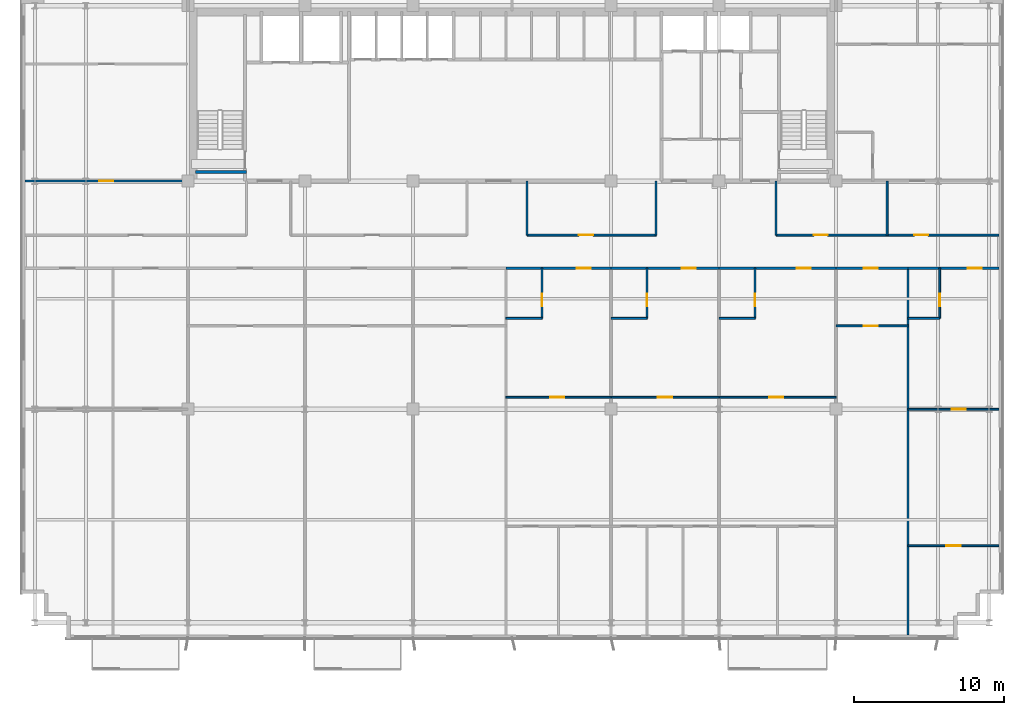
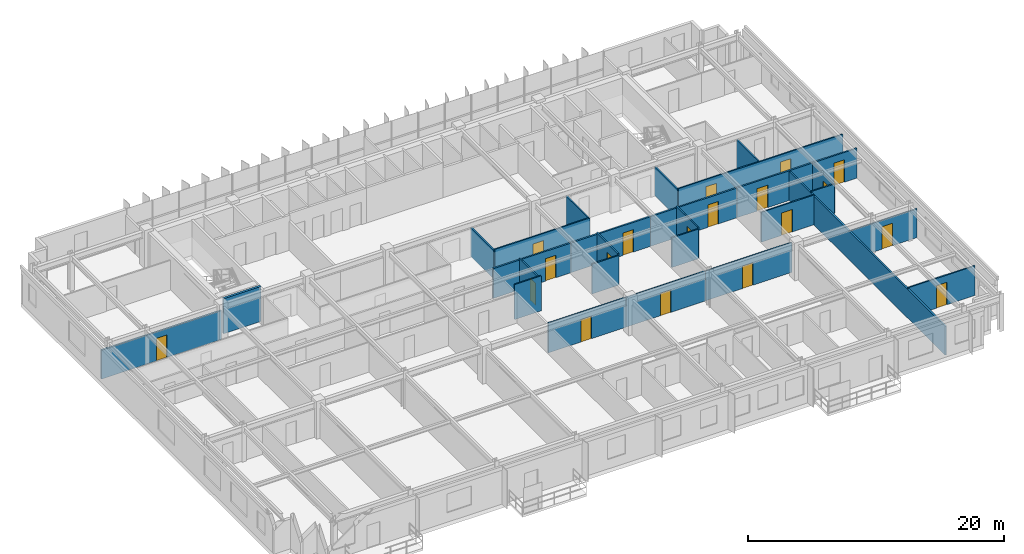
# One storey, part 16 of 22: 28 walls, 19 doors, 19 openings.
"""IFC4 building model written with IfcOpenShell, lengths in metres."""

from ifc_helpers import new_model, si_unit, direction, frame, frame_2d, origin, place, context, subcontext, project, spatial, rectangle, extrude, source, transform, mapped, material, layer, layer_set, type_object, element, fill, save


model = new_model("IFC4")

# Units and contexts
model_context = context("Model", 3, precision=1e-05, world=origin(), true_north=direction((0.0, 1.0)))
body_context = subcontext(model_context, "Body", "Model", "MODEL_VIEW")
ifc_project = project(units=[si_unit("LENGTHUNIT", "METRE"), si_unit("AREAUNIT", "SQUARE_METRE"), si_unit("VOLUMEUNIT", "CUBIC_METRE"), si_unit("PLANEANGLEUNIT", "RADIAN"), si_unit("MASSUNIT", "GRAM", prefix="KILO")], contexts=[model_context])

# Site, building, storey
site_placement = place(None, origin())
site = spatial("IfcSite", under=ifc_project, at=site_placement, CompositionType="ELEMENT")
building_placement = place(site_placement, origin())
building = spatial("IfcBuilding", under=site, at=building_placement, Name="Trelvane Seafront Commons", CompositionType="ELEMENT")
storey_placement = place(building_placement, frame((0.0, 0.0, 81.699951171875)))
storey = spatial("IfcBuildingStorey", under=building, at=storey_placement, Name="L20", CompositionType="ELEMENT", Elevation=81.699951171875)

# Wall, opening, door
ifc_material_1 = material(Name="Gypsum Drywall Acoustic Partition")
ifc_layer_1 = layer(ifc_material_1, 0.1201171875, Name="ARCH-WALL-PART120")
ifc_layer_set_1 = layer_set([ifc_layer_1], Name="Gypsum Drywall Acoustic Partition")
wall_type_1 = type_object("IfcWallType", Name="ARCH-WALL-PART120", PredefinedType="PARTITIONING", material=ifc_layer_set_1)
wall_1_placement = place(storey_placement, frame((38.199951171875, 29.800048828125, 0.0), z_axis=(0.0, 0.0, 1.0), x_axis=(1.0, 0.0, 0.0)))
wall_1 = element("IfcWall", 1, at=wall_1_placement, inside=storey, type_object=wall_type_1, Name="W-L20-CORR-N-M2-040", PredefinedType="PARTITIONING", context=body_context, shape_type="SweptSolid", body=[
    extrude(rectangle(XDim=8.60009765625, YDim=0.1201171875, at=frame_2d((4.300048828125, 0.0))), origin(), (0.0, 0.0, 1.0), 2.840087890625),
])
opening_1_placement = place(wall_1_placement, frame((3.4619140625, 0.0, 0.0)))
opening_1 = element("IfcOpeningElement", 2, at=opening_1_placement, cuts=wall_1, Name="Opening D-L20-20", PredefinedType="OPENING", context=body_context, shape_type="SweptSolid", body=[
    extrude(rectangle(XDim=0.949951171875, YDim=2.14990234375, at=frame_2d((0.47509765625, 1.074951171875))), frame((0.0, 0.070068359375, 0.0), z_axis=(0.0, -1.0, 0.0), x_axis=(1.0, 0.0, 0.0)), (0.0, 0.0, 1.0), 0.14013671875),
])
ifc_material_2 = material(Name="Acoustic timber door leaf", Category="wood")
door_type_1 = type_object("IfcDoorType", Name="ARCH-DR-INT950", OperationType="NOTDEFINED", PredefinedType="DOOR", material=ifc_material_2)
shared_shape_1 = source(origin(), body_context, "Body", "SweptSolid", [
    extrude(rectangle(XDim=0.949951171875, YDim=2.14990234375, at=frame_2d((0.47509765625, 1.074951171875))), frame((0.0, 0.02490234375, 0.0), z_axis=(0.0, -1.0, 0.0), x_axis=(1.0, 0.0, 0.0)), (0.0, 0.0, 1.0), 0.050048828125),
])
door_1_placement = place(opening_1_placement, origin())
door_1 = element("IfcDoor", 3, at=door_1_placement, inside=storey, type_object=door_type_1, Name="L20 Door 20", OperationType="SINGLE_SWING_RIGHT", OverallHeight=2.14990234375, OverallWidth=0.949951171875, PredefinedType="DOOR", context=body_context, shape_type="MappedRepresentation", body=[
    mapped(shared_shape_1, transform((0.0, 0.0, 0.0), x_axis=(1.0, 0.0, 0.0), y_axis=(0.0, 1.0, 0.0), z_axis=(0.0, 0.0, 1.0), scale=1.0)),
])
fill(opening_1, door_1)

# Wall, openings, doors
wall_2_placement = place(storey_placement, frame((54.800048828125, 29.800048828125, 0.0), z_axis=(0.0, 0.0, 1.0), x_axis=(1.0, 0.0, 0.0)))
wall_2 = element("IfcWall", 4, at=wall_2_placement, inside=storey, type_object=wall_type_1, Name="W-L20-CORR-N-E-041", PredefinedType="PARTITIONING", context=body_context, shape_type="SweptSolid", body=[
    extrude(rectangle(XDim=14.849853515625, YDim=0.1201171875, at=frame_2d((7.4248046875, 0.0))), origin(), (0.0, 0.0, 1.0), 2.840087890625),
])
opening_2_placement = place(wall_2_placement, frame((2.5, 0.0, 0.0)))
opening_2 = element("IfcOpeningElement", 5, at=opening_2_placement, cuts=wall_2, Name="Opening D-L20-21", PredefinedType="OPENING", context=body_context, shape_type="SweptSolid", body=[
    extrude(rectangle(XDim=0.949951171875, YDim=2.14990234375, at=frame_2d((0.47509765625, 1.074951171875))), frame((0.0, 0.070068359375, 0.0), z_axis=(0.0, -1.0, 0.0), x_axis=(1.0, 0.0, 0.0)), (0.0, 0.0, 1.0), 0.14013671875),
])
opening_3_placement = place(wall_2_placement, frame((9.199951171875, 0.0, 0.0)))
opening_3 = element("IfcOpeningElement", 6, at=opening_3_placement, cuts=wall_2, Name="Opening D-L20-22", PredefinedType="OPENING", context=body_context, shape_type="SweptSolid", body=[
    extrude(rectangle(XDim=0.949951171875, YDim=2.14990234375, at=frame_2d((0.47509765625, 1.074951171875))), frame((0.0, 0.070068359375, 0.0), z_axis=(0.0, -1.0, 0.0), x_axis=(1.0, 0.0, 0.0)), (0.0, 0.0, 1.0), 0.14013671875),
])
door_2_placement = place(opening_2_placement, origin())
door_2 = element("IfcDoor", 7, at=door_2_placement, inside=storey, type_object=door_type_1, Name="L20 Door 21", OperationType="SINGLE_SWING_LEFT", OverallHeight=2.14990234375, OverallWidth=0.949951171875, PredefinedType="DOOR", context=body_context, shape_type="MappedRepresentation", body=[
    mapped(shared_shape_1, transform((0.0, 0.0, 0.0), x_axis=(1.0, 0.0, 0.0), y_axis=(0.0, 1.0, 0.0), z_axis=(0.0, 0.0, 1.0), scale=1.0)),
])
fill(opening_2, door_2)
door_3_placement = place(opening_3_placement, origin())
door_3 = element("IfcDoor", 8, at=door_3_placement, inside=storey, type_object=door_type_1, Name="L20 Door 22", OperationType="SINGLE_SWING_RIGHT", OverallHeight=2.14990234375, OverallWidth=0.949951171875, PredefinedType="DOOR", context=body_context, shape_type="MappedRepresentation", body=[
    mapped(shared_shape_1, transform((0.0, 0.0, 0.0), x_axis=(1.0, 0.0, 0.0), y_axis=(0.0, 1.0, 0.0), z_axis=(0.0, 0.0, 1.0), scale=1.0)),
])
fill(opening_3, door_3)

# Walls
for number, where, z_axis, x_axis, name in (
    (9, (62.199951171875, 29.800048828125, 0.0), (0.0, 0.0, 1.0), (0.0, 1.0, 0.0), "W-L20-N-LAUN-DV-042"),
    (10, (38.199951171875, 29.800048828125, 0.0), (0.0, 0.0, 1.0), (0.0, 1.0, 0.0), "W-L20-N-SPUR-M2-046"),
    (11, (46.800048828125, 29.800048828125, 0.0), (0.0, 0.0, 1.0), (0.0, 1.0, 0.0), "W-L20-N-SPUR-E1-047"),
    (12, (54.800048828125, 29.800048828125, 0.0), (0.0, 0.0, 1.0), (0.0, 1.0, 0.0), "W-L20-N-SPUR-E2-048"),
):
    element("IfcWall", number, at=place(storey_placement, frame(where, z_axis=z_axis, x_axis=x_axis)), inside=storey, type_object=wall_type_1, Name=name, PredefinedType="PARTITIONING", context=body_context, shape_type="SweptSolid", body=[
        extrude(rectangle(XDim=3.599853515625, YDim=0.1201171875, at=frame_2d((1.7998046875, 0.0))), origin(), (0.0, 0.0, 1.0), 2.751953125),
    ])

# Wall, opening, door
wall_3_placement = place(storey_placement, frame((36.800048828125, 19.0, 0.0), z_axis=(0.0, 0.0, 1.0), x_axis=(1.0, 0.0, 0.0)))
wall_3 = element("IfcWall", 13, at=wall_3_placement, inside=storey, type_object=wall_type_1, Name="W-L20-U6-KL-079", PredefinedType="PARTITIONING", context=body_context, shape_type="SweptSolid", body=[
    extrude(rectangle(XDim=7.0, YDim=0.1201171875, at=frame_2d((3.5, 0.0))), origin(), (0.0, 0.0, 1.0), 2.840087890625),
])
opening_4_placement = place(wall_3_placement, frame((2.93408203125, 0.0, 0.0)))
opening_4 = element("IfcOpeningElement", 14, at=opening_4_placement, cuts=wall_3, Name="Opening D-L20-42", PredefinedType="OPENING", context=body_context, shape_type="SweptSolid", body=[
    extrude(rectangle(XDim=0.949951171875, YDim=2.14990234375, at=frame_2d((0.47509765625, 1.074951171875))), frame((0.0, 0.070068359375, 0.0), z_axis=(0.0, -1.0, 0.0), x_axis=(1.0, 0.0, 0.0)), (0.0, 0.0, 1.0), 0.14013671875),
])
door_4_placement = place(opening_4_placement, origin())
door_4 = element("IfcDoor", 15, at=door_4_placement, inside=storey, type_object=door_type_1, Name="L20 Door 42", OperationType="SINGLE_SWING_RIGHT", OverallHeight=2.14990234375, OverallWidth=0.949951171875, PredefinedType="DOOR", context=body_context, shape_type="MappedRepresentation", body=[
    mapped(shared_shape_1, transform((0.0, 0.0, 0.0), x_axis=(1.0, 0.0, 0.0), y_axis=(0.0, 1.0, 0.0), z_axis=(0.0, 0.0, 1.0), scale=1.0)),
])
fill(opening_4, door_4)

wall_4_placement = place(storey_placement, frame((39.199951171875, 24.25, 0.0), z_axis=(0.0, 0.0, 1.0), x_axis=(0.0, 1.0, 0.0)))
wall_4 = element("IfcWall", 16, at=wall_4_placement, inside=storey, type_object=wall_type_1, Name="W-L20-U6-BE-080", PredefinedType="PARTITIONING", context=body_context, shape_type="SweptSolid", body=[
    extrude(rectangle(XDim=3.35009765625, YDim=0.1201171875, at=frame_2d((1.675048828125, 0.0))), origin(), (0.0, 0.0, 1.0), 2.989990234375),
])
opening_5_placement = place(wall_4_placement, frame((0.800048828125, 0.0, 0.0)))
opening_5 = element("IfcOpeningElement", 17, at=opening_5_placement, cuts=wall_4, Name="Opening D-L20-43", PredefinedType="OPENING", context=body_context, shape_type="SweptSolid", body=[
    extrude(rectangle(XDim=0.85009765625, YDim=2.10009765625, at=frame_2d((0.425048828125, 1.050048828125))), frame((0.0, 0.070068359375, 0.0), z_axis=(0.0, -1.0, 0.0), x_axis=(1.0, 0.0, 0.0)), (0.0, 0.0, 1.0), 0.14013671875),
])
door_type_2 = type_object("IfcDoorType", Name="ARCH-DR-INT850", OperationType="NOTDEFINED", PredefinedType="DOOR", material=ifc_material_2)
shared_shape_2 = source(origin(), body_context, "Body", "SweptSolid", [
    extrude(rectangle(XDim=0.85009765625, YDim=2.10009765625, at=frame_2d((0.425048828125, 1.050048828125))), frame((0.0, 0.02490234375, 0.0), z_axis=(0.0, -1.0, 0.0), x_axis=(1.0, 0.0, 0.0)), (0.0, 0.0, 1.0), 0.050048828125),
])
door_5_placement = place(opening_5_placement, origin())
door_5 = element("IfcDoor", 18, at=door_5_placement, inside=storey, type_object=door_type_2, Name="L20 Door 43", OperationType="SINGLE_SWING_LEFT", OverallHeight=2.10009765625, OverallWidth=0.85009765625, PredefinedType="DOOR", context=body_context, shape_type="MappedRepresentation", body=[
    mapped(shared_shape_2, transform((0.0, 0.0, 0.0), x_axis=(1.0, 0.0, 0.0), y_axis=(0.0, 1.0, 0.0), z_axis=(0.0, 0.0, 1.0), scale=1.0)),
])
fill(opening_5, door_5)

# Wall
wall_5_placement = place(storey_placement, frame((36.800048828125, 24.25, 0.0), z_axis=(0.0, 0.0, 1.0), x_axis=(1.0, 0.0, 0.0)))
element("IfcWall", 19, at=wall_5_placement, inside=storey, type_object=wall_type_1, Name="W-L20-U6-BS-081", PredefinedType="PARTITIONING", context=body_context, shape_type="SweptSolid", body=[
    extrude(rectangle(XDim=2.39990234375, YDim=0.1201171875, at=frame_2d((1.199951171875, 0.0))), origin(), (0.0, 0.0, 1.0), 3.340087890625),
])

# Wall, opening, door
wall_6_placement = place(storey_placement, frame((43.800048828125, 19.0, 0.0), z_axis=(0.0, 0.0, 1.0), x_axis=(1.0, 0.0, 0.0)))
wall_6 = element("IfcWall", 20, at=wall_6_placement, inside=storey, type_object=wall_type_1, Name="W-L20-U7-KL-086", PredefinedType="PARTITIONING", context=body_context, shape_type="SweptSolid", body=[
    extrude(rectangle(XDim=7.199951171875, YDim=0.1201171875, at=frame_2d((3.60009765625, 0.0))), origin(), (0.0, 0.0, 1.0), 2.840087890625),
])
opening_6_placement = place(wall_6_placement, frame((3.125, 0.0, 0.0)))
opening_6 = element("IfcOpeningElement", 21, at=opening_6_placement, cuts=wall_6, Name="Opening D-L20-47", PredefinedType="OPENING", context=body_context, shape_type="SweptSolid", body=[
    extrude(rectangle(XDim=0.949951171875, YDim=2.14990234375, at=frame_2d((0.47509765625, 1.074951171875))), frame((0.0, 0.070068359375, 0.0), z_axis=(0.0, -1.0, 0.0), x_axis=(1.0, 0.0, 0.0)), (0.0, 0.0, 1.0), 0.14013671875),
])
door_6_placement = place(opening_6_placement, origin())
door_6 = element("IfcDoor", 22, at=door_6_placement, inside=storey, type_object=door_type_1, Name="L20 Door 47", OperationType="SINGLE_SWING_LEFT", OverallHeight=2.14990234375, OverallWidth=0.949951171875, PredefinedType="DOOR", context=body_context, shape_type="MappedRepresentation", body=[
    mapped(shared_shape_1, transform((0.0, 0.0, 0.0), x_axis=(1.0, 0.0, 0.0), y_axis=(0.0, 1.0, 0.0), z_axis=(0.0, 0.0, 1.0), scale=1.0)),
])
fill(opening_6, door_6)

wall_7_placement = place(storey_placement, frame((46.199951171875, 24.25, 0.0), z_axis=(0.0, 0.0, 1.0), x_axis=(0.0, 1.0, 0.0)))
wall_7 = element("IfcWall", 23, at=wall_7_placement, inside=storey, type_object=wall_type_1, Name="W-L20-U7-BE-087", PredefinedType="PARTITIONING", context=body_context, shape_type="SweptSolid", body=[
    extrude(rectangle(XDim=3.35009765625, YDim=0.1201171875, at=frame_2d((1.675048828125, 0.0))), origin(), (0.0, 0.0, 1.0), 2.989990234375),
])
opening_7_placement = place(wall_7_placement, frame((0.800048828125, 0.0, 0.0)))
opening_7 = element("IfcOpeningElement", 24, at=opening_7_placement, cuts=wall_7, Name="Opening D-L20-48", PredefinedType="OPENING", context=body_context, shape_type="SweptSolid", body=[
    extrude(rectangle(XDim=0.85009765625, YDim=2.10009765625, at=frame_2d((0.425048828125, 1.050048828125))), frame((0.0, 0.070068359375, 0.0), z_axis=(0.0, -1.0, 0.0), x_axis=(1.0, 0.0, 0.0)), (0.0, 0.0, 1.0), 0.14013671875),
])
door_7_placement = place(opening_7_placement, origin())
door_7 = element("IfcDoor", 25, at=door_7_placement, inside=storey, type_object=door_type_2, Name="L20 Door 48", OperationType="SINGLE_SWING_RIGHT", OverallHeight=2.10009765625, OverallWidth=0.85009765625, PredefinedType="DOOR", context=body_context, shape_type="MappedRepresentation", body=[
    mapped(shared_shape_2, transform((0.0, 0.0, 0.0), x_axis=(1.0, 0.0, 0.0), y_axis=(0.0, 1.0, 0.0), z_axis=(0.0, 0.0, 1.0), scale=1.0)),
])
fill(opening_7, door_7)

# Wall
wall_8_placement = place(storey_placement, frame((43.800048828125, 24.25, 0.0), z_axis=(0.0, 0.0, 1.0), x_axis=(1.0, 0.0, 0.0)))
element("IfcWall", 26, at=wall_8_placement, inside=storey, type_object=wall_type_1, Name="W-L20-U7-BS-088", PredefinedType="PARTITIONING", context=body_context, shape_type="SweptSolid", body=[
    extrude(rectangle(XDim=2.39990234375, YDim=0.1201171875, at=frame_2d((1.199951171875, 0.0))), origin(), (0.0, 0.0, 1.0), 2.840087890625),
])

# Wall, opening, door
wall_9_placement = place(storey_placement, frame((51.0, 19.0, 0.0), z_axis=(0.0, 0.0, 1.0), x_axis=(1.0, 0.0, 0.0)))
wall_9 = element("IfcWall", 27, at=wall_9_placement, inside=storey, type_object=wall_type_1, Name="W-L20-U8-KL-095", PredefinedType="PARTITIONING", context=body_context, shape_type="SweptSolid", body=[
    extrude(rectangle(XDim=7.800048828125, YDim=0.1201171875, at=frame_2d((3.89990234375, 0.0))), origin(), (0.0, 0.0, 1.0), 2.840087890625),
])
opening_8_placement = place(wall_9_placement, frame((3.3330078125, 0.0, 0.0)))
opening_8 = element("IfcOpeningElement", 28, at=opening_8_placement, cuts=wall_9, Name="Opening D-L20-53", PredefinedType="OPENING", context=body_context, shape_type="SweptSolid", body=[
    extrude(rectangle(XDim=0.949951171875, YDim=2.14990234375, at=frame_2d((0.47509765625, 1.074951171875))), frame((0.0, 0.070068359375, 0.0), z_axis=(0.0, -1.0, 0.0), x_axis=(1.0, 0.0, 0.0)), (0.0, 0.0, 1.0), 0.14013671875),
])
door_8_placement = place(opening_8_placement, origin())
door_8 = element("IfcDoor", 29, at=door_8_placement, inside=storey, type_object=door_type_1, Name="L20 Door 53", OperationType="SINGLE_SWING_LEFT", OverallHeight=2.14990234375, OverallWidth=0.949951171875, PredefinedType="DOOR", context=body_context, shape_type="MappedRepresentation", body=[
    mapped(shared_shape_1, transform((0.0, 0.0, 0.0), x_axis=(1.0, 0.0, 0.0), y_axis=(0.0, 1.0, 0.0), z_axis=(0.0, 0.0, 1.0), scale=1.0)),
])
fill(opening_8, door_8)

wall_10_placement = place(storey_placement, frame((53.39990234375, 24.25, 0.0), z_axis=(0.0, 0.0, 1.0), x_axis=(0.0, 1.0, 0.0)))
wall_10 = element("IfcWall", 30, at=wall_10_placement, inside=storey, type_object=wall_type_1, Name="W-L20-U8-BE-096", PredefinedType="PARTITIONING", context=body_context, shape_type="SweptSolid", body=[
    extrude(rectangle(XDim=3.35009765625, YDim=0.1201171875, at=frame_2d((1.675048828125, 0.0))), origin(), (0.0, 0.0, 1.0), 2.989990234375),
])
opening_9_placement = place(wall_10_placement, frame((0.800048828125, 0.0, 0.0)))
opening_9 = element("IfcOpeningElement", 31, at=opening_9_placement, cuts=wall_10, Name="Opening D-L20-54", PredefinedType="OPENING", context=body_context, shape_type="SweptSolid", body=[
    extrude(rectangle(XDim=0.85009765625, YDim=2.10009765625, at=frame_2d((0.425048828125, 1.050048828125))), frame((0.0, 0.070068359375, 0.0), z_axis=(0.0, -1.0, 0.0), x_axis=(1.0, 0.0, 0.0)), (0.0, 0.0, 1.0), 0.14013671875),
])
door_9_placement = place(opening_9_placement, origin())
door_9 = element("IfcDoor", 32, at=door_9_placement, inside=storey, type_object=door_type_2, Name="L20 Door 54", OperationType="SINGLE_SWING_RIGHT", OverallHeight=2.10009765625, OverallWidth=0.85009765625, PredefinedType="DOOR", context=body_context, shape_type="MappedRepresentation", body=[
    mapped(shared_shape_2, transform((0.0, 0.0, 0.0), x_axis=(1.0, 0.0, 0.0), y_axis=(0.0, 1.0, 0.0), z_axis=(0.0, 0.0, 1.0), scale=1.0)),
])
fill(opening_9, door_9)

# Wall
wall_11_placement = place(storey_placement, frame((51.0, 24.25, 0.0), z_axis=(0.0, 0.0, 1.0), x_axis=(1.0, 0.0, 0.0)))
element("IfcWall", 33, at=wall_11_placement, inside=storey, type_object=wall_type_1, Name="W-L20-U8-BS-097", PredefinedType="PARTITIONING", context=body_context, shape_type="SweptSolid", body=[
    extrude(rectangle(XDim=2.39990234375, YDim=0.1201171875, at=frame_2d((1.199951171875, 0.0))), origin(), (0.0, 0.0, 1.0), 2.840087890625),
])

# Wall, opening, door
wall_12_placement = place(storey_placement, frame((58.800048828125, 23.75, 0.0), z_axis=(0.0, 0.0, 1.0), x_axis=(1.0, 0.0, 0.0)))
wall_12 = element("IfcWall", 34, at=wall_12_placement, inside=storey, type_object=wall_type_1, Name="W-L20-U9-DIV-103", PredefinedType="PARTITIONING", context=body_context, shape_type="SweptSolid", body=[
    extrude(rectangle(XDim=4.800048828125, YDim=0.1201171875, at=frame_2d((2.39990234375, 0.0))), origin(), (0.0, 0.0, 1.0), 2.840087890625),
])
opening_10_placement = place(wall_12_placement, frame((1.833984375, 0.0, 0.0)))
opening_10 = element("IfcOpeningElement", 35, at=opening_10_placement, cuts=wall_12, Name="Opening D-L20-59", PredefinedType="OPENING", context=body_context, shape_type="SweptSolid", body=[
    extrude(rectangle(XDim=0.949951171875, YDim=2.14990234375, at=frame_2d((0.47509765625, 1.074951171875))), frame((0.0, 0.070068359375, 0.0), z_axis=(0.0, -1.0, 0.0), x_axis=(1.0, 0.0, 0.0)), (0.0, 0.0, 1.0), 0.14013671875),
])
door_10_placement = place(opening_10_placement, origin())
door_10 = element("IfcDoor", 36, at=door_10_placement, inside=storey, type_object=door_type_1, Name="L20 Door 59", OperationType="SINGLE_SWING_LEFT", OverallHeight=2.14990234375, OverallWidth=0.949951171875, PredefinedType="DOOR", context=body_context, shape_type="MappedRepresentation", body=[
    mapped(shared_shape_1, transform((0.0, 0.0, 0.0), x_axis=(1.0, 0.0, 0.0), y_axis=(0.0, 1.0, 0.0), z_axis=(0.0, 0.0, 1.0), scale=1.0)),
])
fill(opening_10, door_10)

wall_13_placement = place(storey_placement, frame((63.60009765625, 18.199951171875, 0.0), z_axis=(0.0, 0.0, 1.0), x_axis=(1.0, 0.0, 0.0)))
wall_13 = element("IfcWall", 37, at=wall_13_placement, inside=storey, type_object=wall_type_1, Name="W-L20-U10-KL-104", PredefinedType="PARTITIONING", context=body_context, shape_type="SweptSolid", body=[
    extrude(rectangle(XDim=6.039794921875, YDim=0.1201171875, at=frame_2d((3.02001953125, 0.0))), origin(), (0.0, 0.0, 1.0), 2.751953125),
])
opening_11_placement = place(wall_13_placement, frame((2.906005859375, 0.0, 0.0)))
opening_11 = element("IfcOpeningElement", 38, at=opening_11_placement, cuts=wall_13, Name="Opening D-L20-60", PredefinedType="OPENING", context=body_context, shape_type="SweptSolid", body=[
    extrude(rectangle(XDim=0.949951171875, YDim=2.14990234375, at=frame_2d((0.47509765625, 1.074951171875))), frame((0.0, 0.070068359375, 0.0), z_axis=(0.0, -1.0, 0.0), x_axis=(1.0, 0.0, 0.0)), (0.0, 0.0, 1.0), 0.14013671875),
])
door_11_placement = place(opening_11_placement, origin())
door_11 = element("IfcDoor", 39, at=door_11_placement, inside=storey, type_object=door_type_1, Name="L20 Door 60", OperationType="SINGLE_SWING_RIGHT", OverallHeight=2.14990234375, OverallWidth=0.949951171875, PredefinedType="DOOR", context=body_context, shape_type="MappedRepresentation", body=[
    mapped(shared_shape_1, transform((0.0, 0.0, 0.0), x_axis=(1.0, 0.0, 0.0), y_axis=(0.0, 1.0, 0.0), z_axis=(0.0, 0.0, 1.0), scale=1.0)),
])
fill(opening_11, door_11)

wall_14_placement = place(storey_placement, frame((65.70361328125, 24.25, 0.0), z_axis=(0.0, 0.0, 1.0), x_axis=(0.0, 1.0, 0.0)))
wall_14 = element("IfcWall", 40, at=wall_14_placement, inside=storey, type_object=wall_type_1, Name="W-L20-U10-BE-105", PredefinedType="PARTITIONING", context=body_context, shape_type="SweptSolid", body=[
    extrude(rectangle(XDim=3.35009765625, YDim=0.1201171875, at=frame_2d((1.675048828125, 0.0))), origin(), (0.0, 0.0, 1.0), 2.840087890625),
])
opening_12_placement = place(wall_14_placement, frame((0.800048828125, 0.0, 0.0)))
opening_12 = element("IfcOpeningElement", 41, at=opening_12_placement, cuts=wall_14, Name="Opening D-L20-61", PredefinedType="OPENING", context=body_context, shape_type="SweptSolid", body=[
    extrude(rectangle(XDim=0.85009765625, YDim=2.10009765625, at=frame_2d((0.425048828125, 1.050048828125))), frame((0.0, 0.070068359375, 0.0), z_axis=(0.0, -1.0, 0.0), x_axis=(1.0, 0.0, 0.0)), (0.0, 0.0, 1.0), 0.14013671875),
])
door_12_placement = place(opening_12_placement, origin())
door_12 = element("IfcDoor", 42, at=door_12_placement, inside=storey, type_object=door_type_2, Name="L20 Door 61", OperationType="SINGLE_SWING_LEFT", OverallHeight=2.10009765625, OverallWidth=0.85009765625, PredefinedType="DOOR", context=body_context, shape_type="MappedRepresentation", body=[
    mapped(shared_shape_2, transform((0.0, 0.0, 0.0), x_axis=(1.0, 0.0, 0.0), y_axis=(0.0, 1.0, 0.0), z_axis=(0.0, 0.0, 1.0), scale=1.0)),
])
fill(opening_12, door_12)

# Wall
wall_15_placement = place(storey_placement, frame((63.60009765625, 24.25, 0.0), z_axis=(0.0, 0.0, 1.0), x_axis=(1.0, 0.0, 0.0)))
element("IfcWall", 43, at=wall_15_placement, inside=storey, type_object=wall_type_1, Name="W-L20-U10-BS-106", PredefinedType="PARTITIONING", context=body_context, shape_type="SweptSolid", body=[
    extrude(rectangle(XDim=2.103515625, YDim=0.1201171875, at=frame_2d((1.0517578125, 0.0))), origin(), (0.0, 0.0, 1.0), 2.840087890625),
])

# Wall, opening, door
wall_16_placement = place(storey_placement, frame((63.60009765625, 9.10009765625, 0.0), z_axis=(0.0, 0.0, 1.0), x_axis=(1.0, 0.0, 0.0)))
wall_16 = element("IfcWall", 44, at=wall_16_placement, inside=storey, type_object=wall_type_1, Name="W-L20-U10-YM-1-108", PredefinedType="PARTITIONING", context=body_context, shape_type="SweptSolid", body=[
    extrude(rectangle(XDim=6.039794921875, YDim=0.1201171875, at=frame_2d((3.02001953125, 0.0))), origin(), (0.0, 0.0, 1.0), 2.840087890625),
])
opening_13_placement = place(wall_16_placement, frame((2.544921875, 0.0, 0.0)))
opening_13 = element("IfcOpeningElement", 45, at=opening_13_placement, cuts=wall_16, Name="Opening D-L20-63", PredefinedType="OPENING", context=body_context, shape_type="SweptSolid", body=[
    extrude(rectangle(XDim=0.949951171875, YDim=2.14990234375, at=frame_2d((0.47509765625, 1.074951171875))), frame((0.0, 0.070068359375, 0.0), z_axis=(0.0, -1.0, 0.0), x_axis=(1.0, 0.0, 0.0)), (0.0, 0.0, 1.0), 0.14013671875),
])
door_13_placement = place(opening_13_placement, origin())
door_13 = element("IfcDoor", 46, at=door_13_placement, inside=storey, type_object=door_type_1, Name="L20 Door 63", OperationType="SINGLE_SWING_LEFT", OverallHeight=2.14990234375, OverallWidth=0.949951171875, PredefinedType="DOOR", context=body_context, shape_type="MappedRepresentation", body=[
    mapped(shared_shape_1, transform((0.0, 0.0, 0.0), x_axis=(1.0, 0.0, 0.0), y_axis=(0.0, 1.0, 0.0), z_axis=(0.0, 0.0, 1.0), scale=1.0)),
])
fill(opening_13, door_13)

ifc_layer_2 = layer(ifc_material_1, 0.14990234375, Name="ARCH-WALL-PART150")
ifc_layer_set_2 = layer_set([ifc_layer_2], Name="Gypsum Drywall Acoustic Partition")
wall_type_2 = type_object("IfcWallType", Name="ARCH-WALL-PART150", PredefinedType="PARTITIONING", material=ifc_layer_set_2)
wall_17_placement = place(storey_placement, frame((4.75, 33.39990234375, 0.0), z_axis=(0.0, 0.0, 1.0), x_axis=(1.0, 0.0, 0.0)))
wall_17 = element("IfcWall", 47, at=wall_17_placement, inside=storey, type_object=wall_type_2, Name="W-L20-NW-ENT-050", PredefinedType="PARTITIONING", context=body_context, shape_type="SweptSolid", body=[
    extrude(rectangle(XDim=10.85009765625, YDim=0.14990234375, at=frame_2d((5.425048828125, 0.0))), origin(), (0.0, 0.0, 1.0), 2.751953125),
])
opening_14_placement = place(wall_17_placement, frame((4.93994140625, 0.0, 0.0)))
opening_14 = element("IfcOpeningElement", 48, at=opening_14_placement, cuts=wall_17, Name="Opening FD-L20-24", PredefinedType="OPENING", context=body_context, shape_type="SweptSolid", body=[
    extrude(rectangle(XDim=0.949951171875, YDim=2.14990234375, at=frame_2d((0.47509765625, 1.074951171875))), frame((0.0, 0.0849609375, 0.0), z_axis=(0.0, -1.0, 0.0), x_axis=(1.0, 0.0, 0.0)), (0.0, 0.0, 1.0), 0.169921875),
])
ifc_material_3 = material(Name="Powder-coated aluminium frame", Category="aluminium")
door_type_3 = type_object("IfcDoorType", Name="ARCH-DR-FD60-950", OperationType="NOTDEFINED", PredefinedType="DOOR", material=ifc_material_3)
door_14_placement = place(opening_14_placement, origin())
door_14 = element("IfcDoor", 49, at=door_14_placement, inside=storey, type_object=door_type_3, Name="L20 NW Suite Entrance Door", OperationType="SINGLE_SWING_RIGHT", OverallHeight=2.14990234375, OverallWidth=0.949951171875, PredefinedType="DOOR", context=body_context, shape_type="MappedRepresentation", body=[
    mapped(shared_shape_1, transform((0.0, 0.0, 0.0), x_axis=(1.0, 0.0, 0.0), y_axis=(0.0, 1.0, 0.0), z_axis=(0.0, 0.0, 1.0), scale=1.0)),
])
fill(opening_14, door_14)

# Wall
wall_18_placement = place(storey_placement, frame((63.60009765625, 3.14501953125, 0.0), z_axis=(0.0, 0.0, 1.0), x_axis=(0.0, 1.0, 0.0)))
element("IfcWall", 50, at=wall_18_placement, inside=storey, type_object=wall_type_2, Name="W-L20-PW-9-068", PredefinedType="PARTITIONING", context=body_context, shape_type="SweptSolid", body=[
    extrude(rectangle(XDim=24.455078125, YDim=0.14990234375, at=frame_2d((12.2275390625, 0.0))), origin(), (0.0, 0.0, 1.0), 2.751953125),
])

# Wall, opening, door
wall_19_placement = place(storey_placement, frame((36.800048828125, 27.60009765625, 0.0), z_axis=(0.0, 0.0, 1.0), x_axis=(1.0, 0.0, 0.0)))
wall_19 = element("IfcWall", 51, at=wall_19_placement, inside=storey, type_object=wall_type_2, Name="W-L20-CS-BAY-6-082", PredefinedType="PARTITIONING", context=body_context, shape_type="SweptSolid", body=[
    extrude(rectangle(XDim=7.0, YDim=0.14990234375, at=frame_2d((3.5, 0.0))), origin(), (0.0, 0.0, 1.0), 2.840087890625),
])
opening_15_placement = place(wall_19_placement, frame((4.699951171875, 0.0, 0.0)))
opening_15 = element("IfcOpeningElement", 52, at=opening_15_placement, cuts=wall_19, Name="Opening FD-L20-44", PredefinedType="OPENING", context=body_context, shape_type="SweptSolid", body=[
    extrude(rectangle(XDim=0.949951171875, YDim=2.14990234375, at=frame_2d((0.47509765625, 1.074951171875))), frame((0.0, 0.0849609375, 0.0), z_axis=(0.0, -1.0, 0.0), x_axis=(1.0, 0.0, 0.0)), (0.0, 0.0, 1.0), 0.169921875),
])
door_15_placement = place(opening_15_placement, origin())
door_15 = element("IfcDoor", 53, at=door_15_placement, inside=storey, type_object=door_type_3, Name="L20 Unit 06 Entrance Door", OperationType="SINGLE_SWING_RIGHT", OverallHeight=2.14990234375, OverallWidth=0.949951171875, PredefinedType="DOOR", context=body_context, shape_type="MappedRepresentation", body=[
    mapped(shared_shape_1, transform((0.0, 0.0, 0.0), x_axis=(1.0, 0.0, 0.0), y_axis=(0.0, 1.0, 0.0), z_axis=(0.0, 0.0, 1.0), scale=1.0)),
])
fill(opening_15, door_15)

wall_20_placement = place(storey_placement, frame((43.800048828125, 27.60009765625, 0.0), z_axis=(0.0, 0.0, 1.0), x_axis=(1.0, 0.0, 0.0)))
wall_20 = element("IfcWall", 54, at=wall_20_placement, inside=storey, type_object=wall_type_2, Name="W-L20-CS-BAY-7-089", PredefinedType="PARTITIONING", context=body_context, shape_type="SweptSolid", body=[
    extrude(rectangle(XDim=7.199951171875, YDim=0.14990234375, at=frame_2d((3.60009765625, 0.0))), origin(), (0.0, 0.0, 1.0), 2.840087890625),
])
opening_16_placement = place(wall_20_placement, frame((4.7060546875, 0.0, 0.0)))
opening_16 = element("IfcOpeningElement", 55, at=opening_16_placement, cuts=wall_20, Name="Opening FD-L20-49", PredefinedType="OPENING", context=body_context, shape_type="SweptSolid", body=[
    extrude(rectangle(XDim=0.949951171875, YDim=2.14990234375, at=frame_2d((0.47509765625, 1.074951171875))), frame((0.0, 0.0849609375, 0.0), z_axis=(0.0, -1.0, 0.0), x_axis=(1.0, 0.0, 0.0)), (0.0, 0.0, 1.0), 0.169921875),
])
door_16_placement = place(opening_16_placement, origin())
door_16 = element("IfcDoor", 56, at=door_16_placement, inside=storey, type_object=door_type_3, Name="L20 Unit 07 Entrance Door", OperationType="SINGLE_SWING_LEFT", OverallHeight=2.14990234375, OverallWidth=0.949951171875, PredefinedType="DOOR", context=body_context, shape_type="MappedRepresentation", body=[
    mapped(shared_shape_1, transform((0.0, 0.0, 0.0), x_axis=(1.0, 0.0, 0.0), y_axis=(0.0, 1.0, 0.0), z_axis=(0.0, 0.0, 1.0), scale=1.0)),
])
fill(opening_16, door_16)

wall_21_placement = place(storey_placement, frame((51.0, 27.60009765625, 0.0), z_axis=(0.0, 0.0, 1.0), x_axis=(1.0, 0.0, 0.0)))
wall_21 = element("IfcWall", 57, at=wall_21_placement, inside=storey, type_object=wall_type_2, Name="W-L20-CS-BAY-8-098", PredefinedType="PARTITIONING", context=body_context, shape_type="SweptSolid", body=[
    extrude(rectangle(XDim=7.800048828125, YDim=0.14990234375, at=frame_2d((3.89990234375, 0.0))), origin(), (0.0, 0.0, 1.0), 2.840087890625),
])
opening_17_placement = place(wall_21_placement, frame((5.172119140625, 0.0, 0.0)))
opening_17 = element("IfcOpeningElement", 58, at=opening_17_placement, cuts=wall_21, Name="Opening FD-L20-55", PredefinedType="OPENING", context=body_context, shape_type="SweptSolid", body=[
    extrude(rectangle(XDim=0.949951171875, YDim=2.14990234375, at=frame_2d((0.47509765625, 1.074951171875))), frame((0.0, 0.0849609375, 0.0), z_axis=(0.0, -1.0, 0.0), x_axis=(1.0, 0.0, 0.0)), (0.0, 0.0, 1.0), 0.169921875),
])
door_17_placement = place(opening_17_placement, origin())
door_17 = element("IfcDoor", 59, at=door_17_placement, inside=storey, type_object=door_type_3, Name="L20 Unit 08 Entrance Door", OperationType="SINGLE_SWING_LEFT", OverallHeight=2.14990234375, OverallWidth=0.949951171875, PredefinedType="DOOR", context=body_context, shape_type="MappedRepresentation", body=[
    mapped(shared_shape_1, transform((0.0, 0.0, 0.0), x_axis=(1.0, 0.0, 0.0), y_axis=(0.0, 1.0, 0.0), z_axis=(0.0, 0.0, 1.0), scale=1.0)),
])
fill(opening_17, door_17)

wall_22_placement = place(storey_placement, frame((58.800048828125, 27.60009765625, 0.0), z_axis=(0.0, 0.0, 1.0), x_axis=(1.0, 0.0, 0.0)))
wall_22 = element("IfcWall", 60, at=wall_22_placement, inside=storey, type_object=wall_type_2, Name="W-L20-CS-BAY-9-102", PredefinedType="PARTITIONING", context=body_context, shape_type="SweptSolid", body=[
    extrude(rectangle(XDim=4.800048828125, YDim=0.14990234375, at=frame_2d((2.39990234375, 0.0))), origin(), (0.0, 0.0, 1.0), 2.840087890625),
])
opening_18_placement = place(wall_22_placement, frame((1.833984375, 0.0, 0.0)))
opening_18 = element("IfcOpeningElement", 61, at=opening_18_placement, cuts=wall_22, Name="Opening FD-L20-58", PredefinedType="OPENING", context=body_context, shape_type="SweptSolid", body=[
    extrude(rectangle(XDim=0.949951171875, YDim=2.14990234375, at=frame_2d((0.47509765625, 1.074951171875))), frame((0.0, 0.0849609375, 0.0), z_axis=(0.0, -1.0, 0.0), x_axis=(1.0, 0.0, 0.0)), (0.0, 0.0, 1.0), 0.169921875),
])
door_18_placement = place(opening_18_placement, origin())
door_18 = element("IfcDoor", 62, at=door_18_placement, inside=storey, type_object=door_type_3, Name="L20 Bay 09 Entrance Door", OperationType="SINGLE_SWING_RIGHT", OverallHeight=2.14990234375, OverallWidth=0.949951171875, PredefinedType="DOOR", context=body_context, shape_type="MappedRepresentation", body=[
    mapped(shared_shape_1, transform((0.0, 0.0, 0.0), x_axis=(1.0, 0.0, 0.0), y_axis=(0.0, 1.0, 0.0), z_axis=(0.0, 0.0, 1.0), scale=1.0)),
])
fill(opening_18, door_18)

wall_23_placement = place(storey_placement, frame((63.60009765625, 27.60009765625, 0.0), z_axis=(0.0, 0.0, 1.0), x_axis=(1.0, 0.0, 0.0)))
wall_23 = element("IfcWall", 63, at=wall_23_placement, inside=storey, type_object=wall_type_2, Name="W-L20-CS-BAY-10-107", PredefinedType="PARTITIONING", context=body_context, shape_type="SweptSolid", body=[
    extrude(rectangle(XDim=6.054931640625, YDim=0.14990234375, at=frame_2d((3.02734375, 0.0))), origin(), (0.0, 0.0, 1.0), 2.840087890625),
])
opening_19_placement = place(wall_23_placement, frame((3.9609375, 0.0, 0.0)))
opening_19 = element("IfcOpeningElement", 64, at=opening_19_placement, cuts=wall_23, Name="Opening FD-L20-62", PredefinedType="OPENING", context=body_context, shape_type="SweptSolid", body=[
    extrude(rectangle(XDim=0.949951171875, YDim=2.14990234375, at=frame_2d((0.47509765625, 1.074951171875))), frame((0.0, 0.0849609375, 0.0), z_axis=(0.0, -1.0, 0.0), x_axis=(1.0, 0.0, 0.0)), (0.0, 0.0, 1.0), 0.169921875),
])
door_19_placement = place(opening_19_placement, origin())
door_19 = element("IfcDoor", 65, at=door_19_placement, inside=storey, type_object=door_type_3, Name="L20 Unit 10 Entrance Door", OperationType="SINGLE_SWING_RIGHT", OverallHeight=2.14990234375, OverallWidth=0.949951171875, PredefinedType="DOOR", context=body_context, shape_type="MappedRepresentation", body=[
    mapped(shared_shape_1, transform((0.0, 0.0, 0.0), x_axis=(1.0, 0.0, 0.0), y_axis=(0.0, 1.0, 0.0), z_axis=(0.0, 0.0, 1.0), scale=1.0)),
])
fill(opening_19, door_19)

# Wall
ifc_material_4 = material(Name="Concrete C50/60", Category="concrete")
ifc_layer_3 = layer(ifc_material_4, 0.199951171875, Name="STR-WALL-STAIR200")
ifc_layer_set_3 = layer_set([ifc_layer_3], Name="Concrete C50/60")
wall_type_3 = type_object("IfcWallType", Name="STR-WALL-STAIR200", PredefinedType="SHEAR", material=ifc_layer_set_3)
wall_24_placement = place(storey_placement, frame((16.10009765625, 34.0, 0.0), z_axis=(0.0, 0.0, 1.0), x_axis=(1.0, 0.0, 0.0)))
element("IfcWall", 66, at=wall_24_placement, inside=storey, type_object=wall_type_3, Name="W-L20-ST1-S-004", PredefinedType="SHEAR", context=body_context, shape_type="SweptSolid", body=[
    extrude(rectangle(XDim=3.39990234375, YDim=0.199951171875, at=frame_2d((1.699951171875, 0.0))), origin(), (0.0, 0.0, 1.0), 3.340087890625),
])

save(model, "model.ifc")
